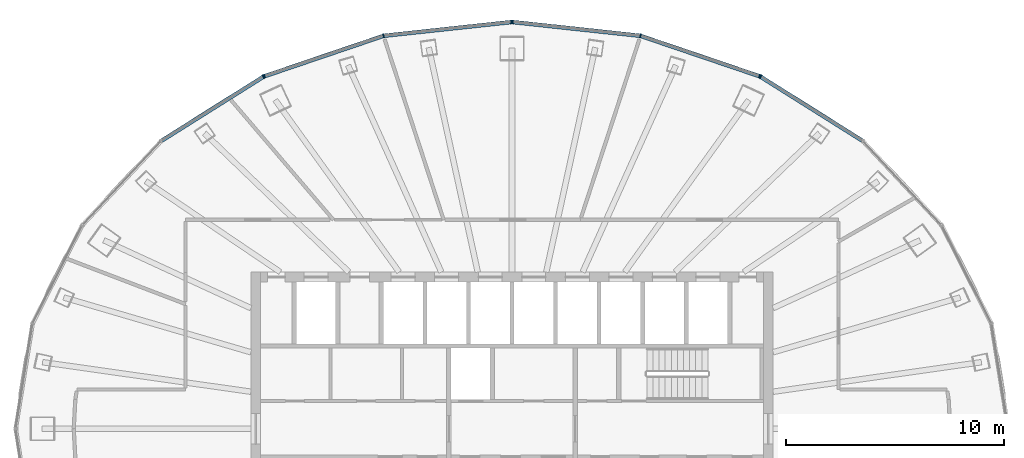
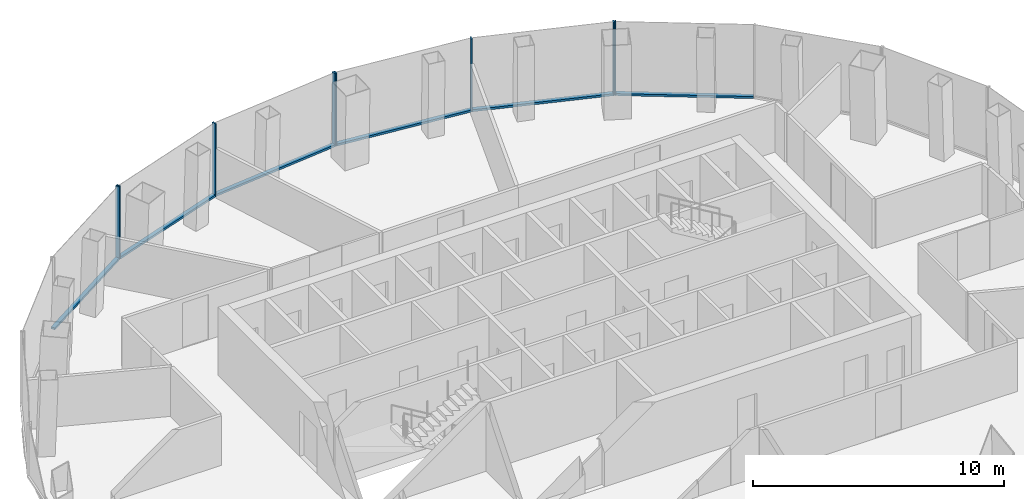
# One storey, part 6 of 11: 14 members, 4 elements without a shape of their own.
"""IFC4 building model written with IfcOpenShell, lengths in metres."""

from ifc_helpers import new_model, si_unit, direction, frame, origin, origin_2d, place, context, subcontext, project, spatial, rectangle, extrude, material, layer, layer_set, material_profile, profile_set, type_object, element, aggregate, save


model = new_model("IFC4")

# Units and contexts
model_context = context("Model", 3, precision=1e-05, world=origin(), true_north=direction((0.0, 1.0)))
body_context = subcontext(model_context, "Body", "Model", "MODEL_VIEW")
ifc_project = project(units=[si_unit("LENGTHUNIT", "METRE"), si_unit("AREAUNIT", "SQUARE_METRE"), si_unit("VOLUMEUNIT", "CUBIC_METRE"), si_unit("PLANEANGLEUNIT", "RADIAN"), si_unit("MASSUNIT", "GRAM", prefix="KILO")], contexts=[model_context])

# Site, building, storey
site_placement = place(None, origin())
site = spatial("IfcSite", under=ifc_project, at=site_placement, CompositionType="ELEMENT")
building_placement = place(site_placement, origin())
building = spatial("IfcBuilding", under=site, at=building_placement, Name="Siaravel Broadcast Tower", CompositionType="ELEMENT")
storey_placement = place(building_placement, frame((0.0, 0.0, 197.800048828125)))
storey = spatial("IfcBuildingStorey", under=building, at=storey_placement, Name="L48", CompositionType="ELEMENT", Elevation=197.800048828125)

# Curtain wall, member
ifc_material = material(Name="Aluminium 6063-T6", Category="aluminium")
ifc_layer = layer(ifc_material, 0.179931640625)
ifc_layer_set = layer_set([ifc_layer], Name="Aluminium 6063-T6")
curtain_wall_type = type_object("IfcCurtainWallType", Name="Unitised curtain wall, zone 3", PredefinedType="NOTDEFINED", material=ifc_layer_set)
curtain_wall_1_placement = place(storey_placement, origin())
curtain_wall_1 = element("IfcCurtainWall", 1, at=curtain_wall_1_placement, inside=storey, type_object=curtain_wall_type, Name="L48 Unitised curtain wall, zone 3 02", PredefinedType="NOTDEFINED")
ifc_material_profile_1 = material_profile(ifc_material, rectangle(XDim=0.179931640625, YDim=0.06005859375, at=origin_2d()))
ifc_profile_set_1 = profile_set([ifc_material_profile_1], Name="Aluminium 6063-T6")
member_type_1 = type_object("IfcMemberType", Name="CW-Z3 mullion", PredefinedType="MULLION", material=ifc_profile_set_1)
member_1_placement = place(storey_placement, frame((11.427001953125, 16.1748046875, 0.0), z_axis=(0.0, 0.0, 1.0), x_axis=(-0.532149052, -0.846650687, 0.0)))
member_1 = element("IfcMember", 2, at=member_1_placement, type_object=member_type_1, Name="CW-Z3 mullion 3", PredefinedType="MULLION", context=body_context, shape_type="SweptSolid", body=[
    extrude(rectangle(XDim=0.179931640625, YDim=0.06005859375, at=origin_2d()), origin(), (0.0, 0.0, 1.0), 3.550048828125),
])

# Curtain wall, members
curtain_wall_2_placement = place(storey_placement, origin())
curtain_wall_2 = element("IfcCurtainWall", 3, at=curtain_wall_2_placement, inside=storey, type_object=curtain_wall_type, Name="L48 Unitised curtain wall, zone 3 03", PredefinedType="NOTDEFINED")
member_2_placement = place(storey_placement, frame((11.373046875, 16.2001953125, 0.0), z_axis=(0.0, 0.0, 1.0), x_axis=(-0.321300458, -0.946977305, 0.0)))
member_2 = element("IfcMember", 4, at=member_2_placement, type_object=member_type_1, Name="CW-Z3 mullion 1", PredefinedType="MULLION", context=body_context, shape_type="SweptSolid", body=[
    extrude(rectangle(XDim=0.179931640625, YDim=0.06005859375, at=origin_2d()), origin(), (0.0, 0.0, 1.0), 3.550048828125),
])
member_3_placement = place(storey_placement, frame((5.901611328125, 18.056884765625, 0.0), z_axis=(0.0, 0.0, 1.0), x_axis=(-0.21555795, -0.97649105, 0.0)))
member_3 = element("IfcMember", 5, at=member_3_placement, type_object=member_type_1, Name="CW-Z3 mullion 2", PredefinedType="MULLION", context=body_context, shape_type="SweptSolid", body=[
    extrude(rectangle(XDim=0.179931640625, YDim=0.06005859375, at=origin_2d()), origin(), (0.0, 0.0, 1.0), 3.550048828125),
])
member_4_placement = place(storey_placement, frame((0.02978515625, 18.68994140625, 0.0), z_axis=(0.0, 0.0, 1.0), x_axis=(-0.107217422, -0.994235598, 0.0)))
member_4 = element("IfcMember", 6, at=member_4_placement, type_object=member_type_1, Name="CW-Z3 mullion 3", PredefinedType="MULLION", context=body_context, shape_type="SweptSolid", body=[
    extrude(rectangle(XDim=0.179931640625, YDim=0.06005859375, at=origin_2d()), origin(), (0.0, 0.0, 1.0), 3.550048828125),
])

curtain_wall_3_placement = place(storey_placement, origin())
curtain_wall_3 = element("IfcCurtainWall", 7, at=curtain_wall_3_placement, inside=storey, type_object=curtain_wall_type, Name="L48 Unitised curtain wall, zone 3 04", PredefinedType="NOTDEFINED")
member_5_placement = place(storey_placement, frame((-0.02978515625, 18.68994140625, 0.0), z_axis=(0.0, 0.0, 1.0), x_axis=(0.107217422, -0.994235598, 0.0)))
member_5 = element("IfcMember", 8, at=member_5_placement, type_object=member_type_1, Name="CW-Z3 mullion 1", PredefinedType="MULLION", context=body_context, shape_type="SweptSolid", body=[
    extrude(rectangle(XDim=0.179931640625, YDim=0.06005859375, at=origin_2d()), origin(), (0.0, 0.0, 1.0), 3.550048828125),
])
member_6_placement = place(storey_placement, frame((-5.901611328125, 18.056884765625, 0.0), z_axis=(0.0, 0.0, 1.0), x_axis=(0.21555795, -0.97649105, 0.0)))
member_6 = element("IfcMember", 9, at=member_6_placement, type_object=member_type_1, Name="CW-Z3 mullion 2", PredefinedType="MULLION", context=body_context, shape_type="SweptSolid", body=[
    extrude(rectangle(XDim=0.179931640625, YDim=0.06005859375, at=origin_2d()), origin(), (0.0, 0.0, 1.0), 3.550048828125),
])
member_7_placement = place(storey_placement, frame((-11.373046875, 16.2001953125, 0.0), z_axis=(0.0, 0.0, 1.0), x_axis=(0.321300458, -0.946977305, 0.0)))
member_7 = element("IfcMember", 10, at=member_7_placement, type_object=member_type_1, Name="CW-Z3 mullion 3", PredefinedType="MULLION", context=body_context, shape_type="SweptSolid", body=[
    extrude(rectangle(XDim=0.179931640625, YDim=0.06005859375, at=origin_2d()), origin(), (0.0, 0.0, 1.0), 3.550048828125),
])

# Curtain wall, member
curtain_wall_4_placement = place(storey_placement, origin())
curtain_wall_4 = element("IfcCurtainWall", 11, at=curtain_wall_4_placement, inside=storey, type_object=curtain_wall_type, Name="L48 Unitised curtain wall, zone 3 05", PredefinedType="NOTDEFINED")
member_8_placement = place(storey_placement, frame((-11.427001953125, 16.1748046875, 0.0), z_axis=(0.0, 0.0, 1.0), x_axis=(0.532149052, -0.846650687, 0.0)))
member_8 = element("IfcMember", 12, at=member_8_placement, type_object=member_type_1, Name="CW-Z3 mullion 1", PredefinedType="MULLION", context=body_context, shape_type="SweptSolid", body=[
    extrude(rectangle(XDim=0.179931640625, YDim=0.06005859375, at=origin_2d()), origin(), (0.0, 0.0, 1.0), 3.550048828125),
])

# Member
ifc_material_profile_2 = material_profile(ifc_material, rectangle(XDim=0.179931640625, YDim=0.10009765625, at=origin_2d()))
ifc_profile_set_2 = profile_set([ifc_material_profile_2], Name="Aluminium 6063-T6")
member_type_2 = type_object("IfcMemberType", Name="CW-Z3 transom", PredefinedType="USERDEFINED", material=ifc_profile_set_2)
member_9_placement = place(storey_placement, frame((16.10009765625, 13.2373046875, 0.050048828125), z_axis=(-0.846638839, 0.532167902, 0.0), x_axis=(-0.532167902, -0.846638839, 0.0)))
member_9 = element("IfcMember", 13, at=member_9_placement, type_object=member_type_2, Name="CW-Z3 transom 2", ObjectType="TRANSOM", PredefinedType="USERDEFINED", context=body_context, shape_type="SweptSolid", body=[
    extrude(rectangle(XDim=0.179931640625, YDim=0.10009765625, at=origin_2d()), origin(), (0.0, 0.0, 1.0), 5.489501953125),
])

aggregate(curtain_wall_1, [member_1, member_9])

member_10_placement = place(storey_placement, frame((11.3447265625, 16.2099609375, 0.050048828125), z_axis=(-0.946978932, 0.321295661, 0.0), x_axis=(-0.321295661, -0.946978932, 0.0)))
member_10 = element("IfcMember", 14, at=member_10_placement, type_object=member_type_2, Name="CW-Z3 transom 1", ObjectType="TRANSOM", PredefinedType="USERDEFINED", context=body_context, shape_type="SweptSolid", body=[
    extrude(rectangle(XDim=0.179931640625, YDim=0.10009765625, at=origin_2d()), origin(), (0.0, 0.0, 1.0), 5.718017578125),
])

member_11_placement = place(storey_placement, frame((5.87158203125, 18.06005859375, 0.050048828125), z_axis=(-0.994236081, 0.107212939, 0.0), x_axis=(-0.107212939, -0.994236081, 0.0)))
member_11 = element("IfcMember", 15, at=member_11_placement, type_object=member_type_2, Name="CW-Z3 transom 2", ObjectType="TRANSOM", PredefinedType="USERDEFINED", context=body_context, shape_type="SweptSolid", body=[
    extrude(rectangle(XDim=0.179931640625, YDim=0.10009765625, at=origin_2d()), origin(), (0.0, 0.0, 1.0), 5.845458984375),
])

aggregate(curtain_wall_2, [member_2, member_3, member_4, member_10, member_11])

member_12_placement = place(storey_placement, frame((-0.059814453125, 18.686767578125, 0.050048828125), z_axis=(-0.994236081, -0.107212939, 0.0), x_axis=(0.107212939, -0.994236081, 0.0)))
member_12 = element("IfcMember", 16, at=member_12_placement, type_object=member_type_2, Name="CW-Z3 transom 1", ObjectType="TRANSOM", PredefinedType="USERDEFINED", context=body_context, shape_type="SweptSolid", body=[
    extrude(rectangle(XDim=0.179931640625, YDim=0.10009765625, at=origin_2d()), origin(), (0.0, 0.0, 1.0), 5.845458984375),
])

member_13_placement = place(storey_placement, frame((-5.929931640625, 18.047119140625, 0.050048828125), z_axis=(-0.946978932, -0.321295661, 0.0), x_axis=(0.321295661, -0.946978932, 0.0)))
member_13 = element("IfcMember", 17, at=member_13_placement, type_object=member_type_2, Name="CW-Z3 transom 2", ObjectType="TRANSOM", PredefinedType="USERDEFINED", context=body_context, shape_type="SweptSolid", body=[
    extrude(rectangle(XDim=0.179931640625, YDim=0.10009765625, at=origin_2d()), origin(), (0.0, 0.0, 1.0), 5.718017578125),
])

aggregate(curtain_wall_3, [member_5, member_6, member_7, member_12, member_13])

member_14_placement = place(storey_placement, frame((-11.452392578125, 16.15869140625, 0.050048828125), z_axis=(-0.846638839, -0.532167902, 0.0), x_axis=(0.532167902, -0.846638839, 0.0)))
member_14 = element("IfcMember", 18, at=member_14_placement, type_object=member_type_2, Name="CW-Z3 transom 1", ObjectType="TRANSOM", PredefinedType="USERDEFINED", context=body_context, shape_type="SweptSolid", body=[
    extrude(rectangle(XDim=0.179931640625, YDim=0.10009765625, at=origin_2d()), origin(), (0.0, 0.0, 1.0), 5.489501953125),
])

aggregate(curtain_wall_4, [member_8, member_14])

save(model, "model.ifc")
